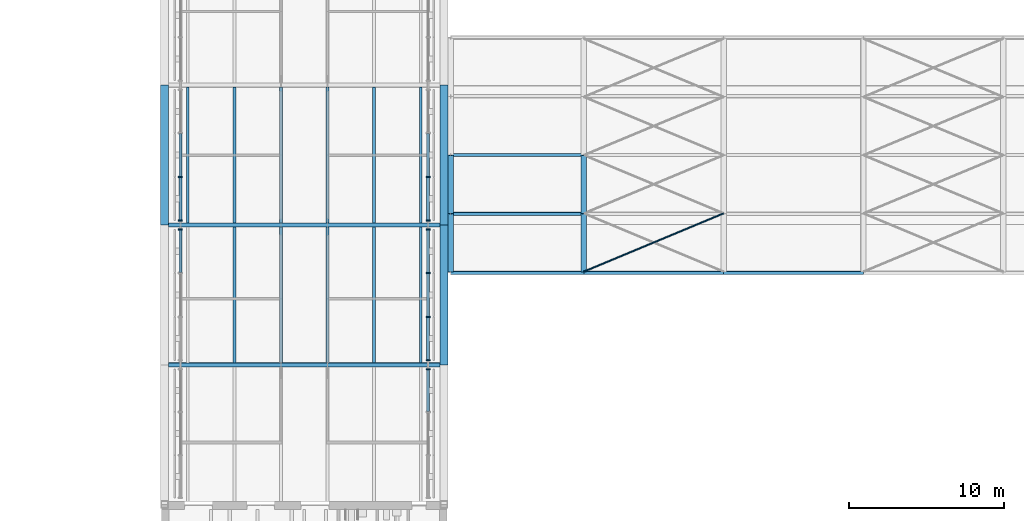
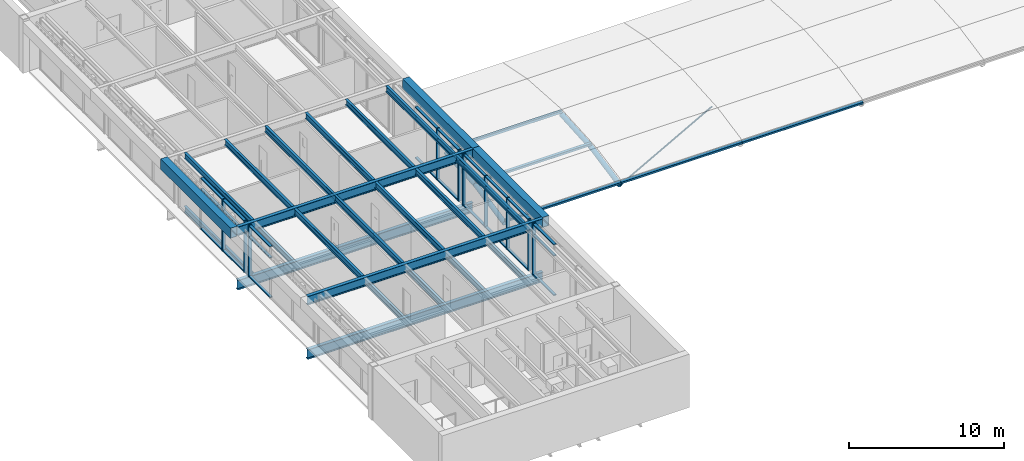
# One storey, part 4 of 43: 50 members, 25 beams, 5 elements without a shape of their own.
"""IFC4 building model written with IfcOpenShell, lengths in metres."""

from ifc_helpers import new_model, si_unit, direction, frame, origin, origin_2d, place, context, subcontext, project, spatial, rectangle, hollow_rectangle, hollow_circle, i_section, extrude, material, material_profile, profile_set, type_object, element, aggregate, save


model = new_model("IFC4")

# Units and contexts
model_context = context("Model", 3, precision=1e-05, world=origin(), true_north=direction((0.0, 1.0)))
body_context = subcontext(model_context, "Body", "Model", "MODEL_VIEW")
ifc_project = project(units=[si_unit("LENGTHUNIT", "METRE"), si_unit("AREAUNIT", "SQUARE_METRE"), si_unit("VOLUMEUNIT", "CUBIC_METRE"), si_unit("PLANEANGLEUNIT", "RADIAN"), si_unit("MASSUNIT", "GRAM", prefix="KILO")], contexts=[model_context])

# Site, building, storey
site_placement = place(None, origin())
site = spatial("IfcSite", under=ifc_project, at=site_placement, CompositionType="ELEMENT")
building_placement = place(site_placement, origin())
building = spatial("IfcBuilding", under=site, at=building_placement, Name="Baradari Gate Terminus", CompositionType="ELEMENT")
storey_placement = place(building_placement, frame((0.0, 0.0, 20.10009765625)))
storey = spatial("IfcBuildingStorey", under=building, at=storey_placement, Name="L04", CompositionType="ELEMENT", Elevation=20.10009765625)

# Curtain wall, member
ifc_material_1 = material(Name="Aluminium 6063-T6", Category="aluminium")
curtain_wall_type = type_object("IfcCurtainWallType", Name="Curtain wall CW-3 gate face, office floors", PredefinedType="NOTDEFINED", material=ifc_material_1)
curtain_wall_1_placement = place(storey_placement, origin())
curtain_wall_1 = element("IfcCurtainWall", 1, at=curtain_wall_1_placement, inside=storey, type_object=curtain_wall_type, Name="Curtain wall CW-3 gate west face L04 bay 2", PredefinedType="NOTDEFINED")
ifc_material_2 = material(Name="Aluminium 6063-T6", Category="aluminium")
ifc_material_profile_1 = material_profile(ifc_material_2, rectangle(XDim=0.25, YDim=0.080078125, at=origin_2d()), Name="CM-3 80X250")
ifc_profile_set_1 = profile_set([ifc_material_profile_1], Name="Aluminium 6063-T6")
member_type_1 = type_object("IfcMemberType", Name="Curtain wall mullion CM-3 80x250", PredefinedType="MULLION", material=ifc_profile_set_1)
member_1_placement = place(storey_placement, frame((73.02490234375, 53.7099609375, 0.0), z_axis=(0.0, 0.0, 1.0), x_axis=(-1.0, 0.0, 0.0)))
member_1 = element("IfcMember", 2, at=member_1_placement, type_object=member_type_1, Name="CW-3 mullion 4", PredefinedType="MULLION", context=body_context, shape_type="SweptSolid", body=[
    extrude(rectangle(XDim=0.25, YDim=0.080078125, at=origin_2d()), origin(), (0.0, 0.0, 1.0), 4.0498046875),
])

# Curtain wall, members
curtain_wall_2_placement = place(storey_placement, origin())
curtain_wall_2 = element("IfcCurtainWall", 3, at=curtain_wall_2_placement, inside=storey, type_object=curtain_wall_type, Name="Curtain wall CW-3 gate west face L04 bay 3", PredefinedType="NOTDEFINED")
member_2_placement = place(storey_placement, frame((73.02490234375, 54.2900390625, 0.0), z_axis=(0.0, 0.0, 1.0), x_axis=(-1.0, 0.0, 0.0)))
member_2 = element("IfcMember", 4, at=member_2_placement, type_object=member_type_1, Name="CW-3 mullion 1", PredefinedType="MULLION", context=body_context, shape_type="SweptSolid", body=[
    extrude(rectangle(XDim=0.25, YDim=0.080078125, at=origin_2d()), origin(), (0.0, 0.0, 1.0), 4.0498046875),
])
member_3_placement = place(storey_placement, frame((73.02490234375, 57.083251953125, 0.0), z_axis=(0.0, 0.0, 1.0), x_axis=(-1.0, 0.0, 0.0)))
member_3 = element("IfcMember", 5, at=member_3_placement, type_object=member_type_1, Name="CW-3 mullion 2", PredefinedType="MULLION", context=body_context, shape_type="SweptSolid", body=[
    extrude(rectangle(XDim=0.25, YDim=0.080078125, at=origin_2d()), origin(), (0.0, 0.0, 1.0), 4.0498046875),
])

# Curtain wall, member
curtain_wall_3_placement = place(storey_placement, origin())
curtain_wall_3 = element("IfcCurtainWall", 6, at=curtain_wall_3_placement, inside=storey, type_object=curtain_wall_type, Name="Curtain wall CW-3 gate east face L04 bay 1", PredefinedType="NOTDEFINED")
member_4_placement = place(storey_placement, frame((88.97509765625, 44.7099609375, 0.0), z_axis=(0.0, 0.0, 1.0), x_axis=(-1.0, 0.0, 0.0)))
member_4 = element("IfcMember", 7, at=member_4_placement, type_object=member_type_1, Name="CW-3 mullion 4", PredefinedType="MULLION", context=body_context, shape_type="SweptSolid", body=[
    extrude(rectangle(XDim=0.25, YDim=0.080078125, at=origin_2d()), origin(), (0.0, 0.0, 1.0), 4.0498046875),
])

# Curtain wall, members
curtain_wall_4_placement = place(storey_placement, origin())
curtain_wall_4 = element("IfcCurtainWall", 8, at=curtain_wall_4_placement, inside=storey, type_object=curtain_wall_type, Name="Curtain wall CW-3 gate east face L04 bay 2", PredefinedType="NOTDEFINED")
member_5_placement = place(storey_placement, frame((88.97509765625, 45.2900390625, 0.0), z_axis=(0.0, 0.0, 1.0), x_axis=(-1.0, 0.0, 0.0)))
member_5 = element("IfcMember", 9, at=member_5_placement, type_object=member_type_1, Name="CW-3 mullion 1", PredefinedType="MULLION", context=body_context, shape_type="SweptSolid", body=[
    extrude(rectangle(XDim=0.25, YDim=0.080078125, at=origin_2d()), origin(), (0.0, 0.0, 1.0), 4.0498046875),
])
member_6_placement = place(storey_placement, frame((88.97509765625, 48.083251953125, 0.0), z_axis=(0.0, 0.0, 1.0), x_axis=(-1.0, 0.0, 0.0)))
member_6 = element("IfcMember", 10, at=member_6_placement, type_object=member_type_1, Name="CW-3 mullion 2", PredefinedType="MULLION", context=body_context, shape_type="SweptSolid", body=[
    extrude(rectangle(XDim=0.25, YDim=0.080078125, at=origin_2d()), origin(), (0.0, 0.0, 1.0), 4.0498046875),
])
member_7_placement = place(storey_placement, frame((88.97509765625, 50.916748046875, 0.0), z_axis=(0.0, 0.0, 1.0), x_axis=(-1.0, 0.0, 0.0)))
member_7 = element("IfcMember", 11, at=member_7_placement, type_object=member_type_1, Name="CW-3 mullion 3", PredefinedType="MULLION", context=body_context, shape_type="SweptSolid", body=[
    extrude(rectangle(XDim=0.25, YDim=0.080078125, at=origin_2d()), origin(), (0.0, 0.0, 1.0), 4.0498046875),
])
member_8_placement = place(storey_placement, frame((88.97509765625, 53.7099609375, 0.0), z_axis=(0.0, 0.0, 1.0), x_axis=(-1.0, 0.0, 0.0)))
member_8 = element("IfcMember", 12, at=member_8_placement, type_object=member_type_1, Name="CW-3 mullion 4", PredefinedType="MULLION", context=body_context, shape_type="SweptSolid", body=[
    extrude(rectangle(XDim=0.25, YDim=0.080078125, at=origin_2d()), origin(), (0.0, 0.0, 1.0), 4.0498046875),
])

curtain_wall_5_placement = place(storey_placement, origin())
curtain_wall_5 = element("IfcCurtainWall", 13, at=curtain_wall_5_placement, inside=storey, type_object=curtain_wall_type, Name="Curtain wall CW-3 gate east face L04 bay 3", PredefinedType="NOTDEFINED")
member_9_placement = place(storey_placement, frame((88.97509765625, 54.2900390625, 0.0), z_axis=(0.0, 0.0, 1.0), x_axis=(-1.0, 0.0, 0.0)))
member_9 = element("IfcMember", 14, at=member_9_placement, type_object=member_type_1, Name="CW-3 mullion 1", PredefinedType="MULLION", context=body_context, shape_type="SweptSolid", body=[
    extrude(rectangle(XDim=0.25, YDim=0.080078125, at=origin_2d()), origin(), (0.0, 0.0, 1.0), 4.0498046875),
])
member_10_placement = place(storey_placement, frame((88.97509765625, 57.083251953125, 0.0), z_axis=(0.0, 0.0, 1.0), x_axis=(-1.0, 0.0, 0.0)))
member_10 = element("IfcMember", 15, at=member_10_placement, type_object=member_type_1, Name="CW-3 mullion 2", PredefinedType="MULLION", context=body_context, shape_type="SweptSolid", body=[
    extrude(rectangle(XDim=0.25, YDim=0.080078125, at=origin_2d()), origin(), (0.0, 0.0, 1.0), 4.0498046875),
])

# Member
ifc_material_3 = material(Name="Aluminium 6063-T6", Category="aluminium")
ifc_material_profile_2 = material_profile(ifc_material_3, rectangle(XDim=0.199951171875, YDim=0.080078125, at=origin_2d()), Name="CT-3 80X200")
ifc_profile_set_2 = profile_set([ifc_material_profile_2], Name="Aluminium 6063-T6")
member_type_2 = type_object("IfcMemberType", Name="Curtain wall transom CT-3 80x200", PredefinedType="USERDEFINED", material=ifc_profile_set_2)
member_11_placement = place(storey_placement, frame((73.02490234375, 50.956787109375, 0.039794921875), z_axis=(0.0, 1.0, 0.0), x_axis=(-1.0, 0.0, 0.0)))
member_11 = element("IfcMember", 16, at=member_11_placement, type_object=member_type_2, Name="CW-3 transom 3.1", ObjectType="TRANSOM", PredefinedType="USERDEFINED", context=body_context, shape_type="SweptSolid", body=[
    extrude(rectangle(XDim=0.199951171875, YDim=0.080078125, at=origin_2d()), origin(), (0.0, 0.0, 1.0), 2.713134765625),
])

member_12_placement = place(storey_placement, frame((73.02490234375, 50.956787109375, 3.14990234375), z_axis=(0.0, 1.0, 0.0), x_axis=(-1.0, 0.0, 0.0)))
member_12 = element("IfcMember", 17, at=member_12_placement, type_object=member_type_2, Name="CW-3 transom 3.2", ObjectType="TRANSOM", PredefinedType="USERDEFINED", context=body_context, shape_type="SweptSolid", body=[
    extrude(rectangle(XDim=0.199951171875, YDim=0.080078125, at=origin_2d()), origin(), (0.0, 0.0, 1.0), 2.713134765625),
])

member_13_placement = place(storey_placement, frame((73.02490234375, 50.956787109375, 4.010009765625), z_axis=(0.0, 1.0, 0.0), x_axis=(-1.0, 0.0, 0.0)))
member_13 = element("IfcMember", 18, at=member_13_placement, type_object=member_type_2, Name="CW-3 transom 3.3", ObjectType="TRANSOM", PredefinedType="USERDEFINED", context=body_context, shape_type="SweptSolid", body=[
    extrude(rectangle(XDim=0.199951171875, YDim=0.080078125, at=origin_2d()), origin(), (0.0, 0.0, 1.0), 2.713134765625),
])

aggregate(curtain_wall_1, [member_1, member_11, member_12, member_13])

member_14_placement = place(storey_placement, frame((73.02490234375, 54.330078125, 0.039794921875), z_axis=(0.0, 1.0, 0.0), x_axis=(-1.0, 0.0, 0.0)))
member_14 = element("IfcMember", 19, at=member_14_placement, type_object=member_type_2, Name="CW-3 transom 1.1", ObjectType="TRANSOM", PredefinedType="USERDEFINED", context=body_context, shape_type="SweptSolid", body=[
    extrude(rectangle(XDim=0.199951171875, YDim=0.080078125, at=origin_2d()), origin(), (0.0, 0.0, 1.0), 2.713134765625),
])

member_15_placement = place(storey_placement, frame((73.02490234375, 54.330078125, 3.14990234375), z_axis=(0.0, 1.0, 0.0), x_axis=(-1.0, 0.0, 0.0)))
member_15 = element("IfcMember", 20, at=member_15_placement, type_object=member_type_2, Name="CW-3 transom 1.2", ObjectType="TRANSOM", PredefinedType="USERDEFINED", context=body_context, shape_type="SweptSolid", body=[
    extrude(rectangle(XDim=0.199951171875, YDim=0.080078125, at=origin_2d()), origin(), (0.0, 0.0, 1.0), 2.713134765625),
])

member_16_placement = place(storey_placement, frame((73.02490234375, 54.330078125, 4.010009765625), z_axis=(0.0, 1.0, 0.0), x_axis=(-1.0, 0.0, 0.0)))
member_16 = element("IfcMember", 21, at=member_16_placement, type_object=member_type_2, Name="CW-3 transom 1.3", ObjectType="TRANSOM", PredefinedType="USERDEFINED", context=body_context, shape_type="SweptSolid", body=[
    extrude(rectangle(XDim=0.199951171875, YDim=0.080078125, at=origin_2d()), origin(), (0.0, 0.0, 1.0), 2.713134765625),
])

member_17_placement = place(storey_placement, frame((73.02490234375, 57.123291015625, 0.039794921875), z_axis=(0.0, 1.0, 0.0), x_axis=(-1.0, 0.0, 0.0)))
member_17 = element("IfcMember", 22, at=member_17_placement, type_object=member_type_2, Name="CW-3 transom 2.1", ObjectType="TRANSOM", PredefinedType="USERDEFINED", context=body_context, shape_type="SweptSolid", body=[
    extrude(rectangle(XDim=0.199951171875, YDim=0.080078125, at=origin_2d()), origin(), (0.0, 0.0, 1.0), 2.75341796875),
])

member_18_placement = place(storey_placement, frame((73.02490234375, 57.123291015625, 3.14990234375), z_axis=(0.0, 1.0, 0.0), x_axis=(-1.0, 0.0, 0.0)))
member_18 = element("IfcMember", 23, at=member_18_placement, type_object=member_type_2, Name="CW-3 transom 2.2", ObjectType="TRANSOM", PredefinedType="USERDEFINED", context=body_context, shape_type="SweptSolid", body=[
    extrude(rectangle(XDim=0.199951171875, YDim=0.080078125, at=origin_2d()), origin(), (0.0, 0.0, 1.0), 2.75341796875),
])

member_19_placement = place(storey_placement, frame((73.02490234375, 57.123291015625, 4.010009765625), z_axis=(0.0, 1.0, 0.0), x_axis=(-1.0, 0.0, 0.0)))
member_19 = element("IfcMember", 24, at=member_19_placement, type_object=member_type_2, Name="CW-3 transom 2.3", ObjectType="TRANSOM", PredefinedType="USERDEFINED", context=body_context, shape_type="SweptSolid", body=[
    extrude(rectangle(XDim=0.199951171875, YDim=0.080078125, at=origin_2d()), origin(), (0.0, 0.0, 1.0), 2.75341796875),
])

aggregate(curtain_wall_2, [member_2, member_3, member_14, member_15, member_16, member_17, member_18, member_19])

member_20_placement = place(storey_placement, frame((88.97509765625, 42.006591796875, 0.039794921875), z_axis=(0.0, 1.0, 0.0), x_axis=(-1.0, 0.0, 0.0)))
member_20 = element("IfcMember", 25, at=member_20_placement, type_object=member_type_2, Name="CW-3 transom 3.1", ObjectType="TRANSOM", PredefinedType="USERDEFINED", context=body_context, shape_type="SweptSolid", body=[
    extrude(rectangle(XDim=0.199951171875, YDim=0.080078125, at=origin_2d()), origin(), (0.0, 0.0, 1.0), 2.663330078125),
])

member_21_placement = place(storey_placement, frame((88.97509765625, 42.006591796875, 3.14990234375), z_axis=(0.0, 1.0, 0.0), x_axis=(-1.0, 0.0, 0.0)))
member_21 = element("IfcMember", 26, at=member_21_placement, type_object=member_type_2, Name="CW-3 transom 3.2", ObjectType="TRANSOM", PredefinedType="USERDEFINED", context=body_context, shape_type="SweptSolid", body=[
    extrude(rectangle(XDim=0.199951171875, YDim=0.080078125, at=origin_2d()), origin(), (0.0, 0.0, 1.0), 2.663330078125),
])

member_22_placement = place(storey_placement, frame((88.97509765625, 42.006591796875, 4.010009765625), z_axis=(0.0, 1.0, 0.0), x_axis=(-1.0, 0.0, 0.0)))
member_22 = element("IfcMember", 27, at=member_22_placement, type_object=member_type_2, Name="CW-3 transom 3.3", ObjectType="TRANSOM", PredefinedType="USERDEFINED", context=body_context, shape_type="SweptSolid", body=[
    extrude(rectangle(XDim=0.199951171875, YDim=0.080078125, at=origin_2d()), origin(), (0.0, 0.0, 1.0), 2.663330078125),
])

aggregate(curtain_wall_3, [member_4, member_20, member_21, member_22])

member_23_placement = place(storey_placement, frame((88.97509765625, 45.330078125, 0.039794921875), z_axis=(0.0, 1.0, 0.0), x_axis=(-1.0, 0.0, 0.0)))
member_23 = element("IfcMember", 28, at=member_23_placement, type_object=member_type_2, Name="CW-3 transom 1.1", ObjectType="TRANSOM", PredefinedType="USERDEFINED", context=body_context, shape_type="SweptSolid", body=[
    extrude(rectangle(XDim=0.199951171875, YDim=0.080078125, at=origin_2d()), origin(), (0.0, 0.0, 1.0), 2.713134765625),
])

member_24_placement = place(storey_placement, frame((88.97509765625, 45.330078125, 3.14990234375), z_axis=(0.0, 1.0, 0.0), x_axis=(-1.0, 0.0, 0.0)))
member_24 = element("IfcMember", 29, at=member_24_placement, type_object=member_type_2, Name="CW-3 transom 1.2", ObjectType="TRANSOM", PredefinedType="USERDEFINED", context=body_context, shape_type="SweptSolid", body=[
    extrude(rectangle(XDim=0.199951171875, YDim=0.080078125, at=origin_2d()), origin(), (0.0, 0.0, 1.0), 2.713134765625),
])

member_25_placement = place(storey_placement, frame((88.97509765625, 45.330078125, 4.010009765625), z_axis=(0.0, 1.0, 0.0), x_axis=(-1.0, 0.0, 0.0)))
member_25 = element("IfcMember", 30, at=member_25_placement, type_object=member_type_2, Name="CW-3 transom 1.3", ObjectType="TRANSOM", PredefinedType="USERDEFINED", context=body_context, shape_type="SweptSolid", body=[
    extrude(rectangle(XDim=0.199951171875, YDim=0.080078125, at=origin_2d()), origin(), (0.0, 0.0, 1.0), 2.713134765625),
])

member_26_placement = place(storey_placement, frame((88.97509765625, 48.123291015625, 0.039794921875), z_axis=(0.0, 1.0, 0.0), x_axis=(-1.0, 0.0, 0.0)))
member_26 = element("IfcMember", 31, at=member_26_placement, type_object=member_type_2, Name="CW-3 transom 2.1", ObjectType="TRANSOM", PredefinedType="USERDEFINED", context=body_context, shape_type="SweptSolid", body=[
    extrude(rectangle(XDim=0.199951171875, YDim=0.080078125, at=origin_2d()), origin(), (0.0, 0.0, 1.0), 2.75341796875),
])

member_27_placement = place(storey_placement, frame((88.97509765625, 48.123291015625, 3.14990234375), z_axis=(0.0, 1.0, 0.0), x_axis=(-1.0, 0.0, 0.0)))
member_27 = element("IfcMember", 32, at=member_27_placement, type_object=member_type_2, Name="CW-3 transom 2.2", ObjectType="TRANSOM", PredefinedType="USERDEFINED", context=body_context, shape_type="SweptSolid", body=[
    extrude(rectangle(XDim=0.199951171875, YDim=0.080078125, at=origin_2d()), origin(), (0.0, 0.0, 1.0), 2.75341796875),
])

member_28_placement = place(storey_placement, frame((88.97509765625, 48.123291015625, 4.010009765625), z_axis=(0.0, 1.0, 0.0), x_axis=(-1.0, 0.0, 0.0)))
member_28 = element("IfcMember", 33, at=member_28_placement, type_object=member_type_2, Name="CW-3 transom 2.3", ObjectType="TRANSOM", PredefinedType="USERDEFINED", context=body_context, shape_type="SweptSolid", body=[
    extrude(rectangle(XDim=0.199951171875, YDim=0.080078125, at=origin_2d()), origin(), (0.0, 0.0, 1.0), 2.75341796875),
])

member_29_placement = place(storey_placement, frame((88.97509765625, 50.956787109375, 0.039794921875), z_axis=(0.0, 1.0, 0.0), x_axis=(-1.0, 0.0, 0.0)))
member_29 = element("IfcMember", 34, at=member_29_placement, type_object=member_type_2, Name="CW-3 transom 3.1", ObjectType="TRANSOM", PredefinedType="USERDEFINED", context=body_context, shape_type="SweptSolid", body=[
    extrude(rectangle(XDim=0.199951171875, YDim=0.080078125, at=origin_2d()), origin(), (0.0, 0.0, 1.0), 2.713134765625),
])

member_30_placement = place(storey_placement, frame((88.97509765625, 50.956787109375, 3.14990234375), z_axis=(0.0, 1.0, 0.0), x_axis=(-1.0, 0.0, 0.0)))
member_30 = element("IfcMember", 35, at=member_30_placement, type_object=member_type_2, Name="CW-3 transom 3.2", ObjectType="TRANSOM", PredefinedType="USERDEFINED", context=body_context, shape_type="SweptSolid", body=[
    extrude(rectangle(XDim=0.199951171875, YDim=0.080078125, at=origin_2d()), origin(), (0.0, 0.0, 1.0), 2.713134765625),
])

member_31_placement = place(storey_placement, frame((88.97509765625, 50.956787109375, 4.010009765625), z_axis=(0.0, 1.0, 0.0), x_axis=(-1.0, 0.0, 0.0)))
member_31 = element("IfcMember", 36, at=member_31_placement, type_object=member_type_2, Name="CW-3 transom 3.3", ObjectType="TRANSOM", PredefinedType="USERDEFINED", context=body_context, shape_type="SweptSolid", body=[
    extrude(rectangle(XDim=0.199951171875, YDim=0.080078125, at=origin_2d()), origin(), (0.0, 0.0, 1.0), 2.713134765625),
])

aggregate(curtain_wall_4, [member_5, member_6, member_7, member_8, member_23, member_24, member_25, member_26, member_27, member_28, member_29, member_30, member_31])

member_32_placement = place(storey_placement, frame((88.97509765625, 54.330078125, 0.039794921875), z_axis=(0.0, 1.0, 0.0), x_axis=(-1.0, 0.0, 0.0)))
member_32 = element("IfcMember", 37, at=member_32_placement, type_object=member_type_2, Name="CW-3 transom 1.1", ObjectType="TRANSOM", PredefinedType="USERDEFINED", context=body_context, shape_type="SweptSolid", body=[
    extrude(rectangle(XDim=0.199951171875, YDim=0.080078125, at=origin_2d()), origin(), (0.0, 0.0, 1.0), 2.713134765625),
])

member_33_placement = place(storey_placement, frame((88.97509765625, 54.330078125, 3.14990234375), z_axis=(0.0, 1.0, 0.0), x_axis=(-1.0, 0.0, 0.0)))
member_33 = element("IfcMember", 38, at=member_33_placement, type_object=member_type_2, Name="CW-3 transom 1.2", ObjectType="TRANSOM", PredefinedType="USERDEFINED", context=body_context, shape_type="SweptSolid", body=[
    extrude(rectangle(XDim=0.199951171875, YDim=0.080078125, at=origin_2d()), origin(), (0.0, 0.0, 1.0), 2.713134765625),
])

member_34_placement = place(storey_placement, frame((88.97509765625, 54.330078125, 4.010009765625), z_axis=(0.0, 1.0, 0.0), x_axis=(-1.0, 0.0, 0.0)))
member_34 = element("IfcMember", 39, at=member_34_placement, type_object=member_type_2, Name="CW-3 transom 1.3", ObjectType="TRANSOM", PredefinedType="USERDEFINED", context=body_context, shape_type="SweptSolid", body=[
    extrude(rectangle(XDim=0.199951171875, YDim=0.080078125, at=origin_2d()), origin(), (0.0, 0.0, 1.0), 2.713134765625),
])

member_35_placement = place(storey_placement, frame((88.97509765625, 57.123291015625, 0.039794921875), z_axis=(0.0, 1.0, 0.0), x_axis=(-1.0, 0.0, 0.0)))
member_35 = element("IfcMember", 40, at=member_35_placement, type_object=member_type_2, Name="CW-3 transom 2.1", ObjectType="TRANSOM", PredefinedType="USERDEFINED", context=body_context, shape_type="SweptSolid", body=[
    extrude(rectangle(XDim=0.199951171875, YDim=0.080078125, at=origin_2d()), origin(), (0.0, 0.0, 1.0), 2.75341796875),
])

member_36_placement = place(storey_placement, frame((88.97509765625, 57.123291015625, 3.14990234375), z_axis=(0.0, 1.0, 0.0), x_axis=(-1.0, 0.0, 0.0)))
member_36 = element("IfcMember", 41, at=member_36_placement, type_object=member_type_2, Name="CW-3 transom 2.2", ObjectType="TRANSOM", PredefinedType="USERDEFINED", context=body_context, shape_type="SweptSolid", body=[
    extrude(rectangle(XDim=0.199951171875, YDim=0.080078125, at=origin_2d()), origin(), (0.0, 0.0, 1.0), 2.75341796875),
])

member_37_placement = place(storey_placement, frame((88.97509765625, 57.123291015625, 4.010009765625), z_axis=(0.0, 1.0, 0.0), x_axis=(-1.0, 0.0, 0.0)))
member_37 = element("IfcMember", 42, at=member_37_placement, type_object=member_type_2, Name="CW-3 transom 2.3", ObjectType="TRANSOM", PredefinedType="USERDEFINED", context=body_context, shape_type="SweptSolid", body=[
    extrude(rectangle(XDim=0.199951171875, YDim=0.080078125, at=origin_2d()), origin(), (0.0, 0.0, 1.0), 2.75341796875),
])

aggregate(curtain_wall_5, [member_9, member_10, member_32, member_33, member_34, member_35, member_36, member_37])

# Beams
ifc_material_4 = material(Name="Steel S355", Category="steel")
ifc_material_profile_3 = material_profile(ifc_material_4, i_section(OverallWidth=0.2666015625, OverallDepth=0.76220703125, WebThickness=0.014404296875, FlangeThickness=0.021484375, FilletRadius=0.0166015625, at=origin_2d()), Name="UB 762x267x173")
ifc_profile_set_3 = profile_set([ifc_material_profile_3], Name="Steel S355")
beam_type_1 = type_object("IfcBeamType", Name="Gate girder B30 UB 762x267x173", PredefinedType="BEAM", material=ifc_profile_set_3)
for number, where, z_axis, x_axis, name in (
    (43, (72.25, 45.0, -0.53125), (1.0, 0.0, 0.0), (0.0, 1.0, 0.0), "Gate girder B30 F:72.25-89.75 L04"),
    (44, (72.25, 54.0, -0.53125), (1.0, 0.0, 0.0), (0.0, 1.0, 0.0), "Gate girder B30 G:72.25-89.75 L04"),
):
    element("IfcBeam", number, at=place(storey_placement, frame(where, z_axis=z_axis, x_axis=x_axis)), inside=storey, type_object=beam_type_1, Name=name, PredefinedType="BEAM", context=body_context, shape_type="SweptSolid", body=[
        extrude(i_section(OverallWidth=0.2666015625, OverallDepth=0.76220703125, WebThickness=0.014404296875, FlangeThickness=0.021484375, FilletRadius=0.0166015625, at=origin_2d()), origin(), (0.0, 0.0, 1.0), 17.5),
    ])
ifc_material_5 = material(Name="Steel S355", Category="steel")
ifc_material_profile_4 = material_profile(ifc_material_5, i_section(OverallWidth=0.25439453125, OverallDepth=0.6875, WebThickness=0.01318359375, FlangeThickness=0.02099609375, FilletRadius=0.01513671875, at=origin_2d()), Name="UB 686x254x152")
ifc_profile_set_4 = profile_set([ifc_material_profile_4], Name="Steel S355")
beam_type_2 = type_object("IfcBeamType", Name="Gate roof girder B56 UB 686x254x152", PredefinedType="BEAM", material=ifc_profile_set_4)
for number, where, z_axis, x_axis, name in (
    (45, (72.25, 45.0, 3.7060546875), (1.0, 0.0, 0.0), (0.0, 1.0, 0.0), "Gate roof girder B56 F:72.25-89.75 L04"),
    (46, (72.25, 54.0, 3.7060546875), (1.0, 0.0, 0.0), (0.0, 1.0, 0.0), "Gate roof girder B56 G:72.25-89.75 L04"),
):
    element("IfcBeam", number, at=place(storey_placement, frame(where, z_axis=z_axis, x_axis=x_axis)), inside=storey, type_object=beam_type_2, Name=name, PredefinedType="BEAM", context=body_context, shape_type="SweptSolid", body=[
        extrude(i_section(OverallWidth=0.25439453125, OverallDepth=0.6875, WebThickness=0.01318359375, FlangeThickness=0.02099609375, FilletRadius=0.01513671875, at=origin_2d()), origin(), (0.0, 0.0, 1.0), 17.5),
    ])
ifc_material_6 = material(Name="Steel S355", Category="steel")
ifc_material_profile_5 = material_profile(ifc_material_6, i_section(OverallWidth=0.18994140625, OverallDepth=0.453369140625, WebThickness=0.008544921875, FlangeThickness=0.0126953125, FilletRadius=0.01025390625, at=origin_2d()), Name="UB 457x191x67")
ifc_profile_set_5 = profile_set([ifc_material_profile_5], Name="Steel S355")
beam_type_3 = type_object("IfcBeamType", Name="Gate roof secondary beam B57 UB 457x191x67", PredefinedType="BEAM", material=ifc_profile_set_5)
for number, where, z_axis, x_axis, name in (
    (47, (73.5, 54.127197265625, 3.8232421875), (0.0, 1.0, 0.0), (-1.0, 0.0, 0.0), "Gate roof secondary beam B57 73.5:54.127-62.873 L04"),
    (48, (76.5, 45.127197265625, 3.8232421875), (0.0, 1.0, 0.0), (-1.0, 0.0, 0.0), "Gate roof secondary beam B57 76.5:45.127-53.873 L04"),
    (49, (76.5, 54.127197265625, 3.8232421875), (0.0, 1.0, 0.0), (-1.0, 0.0, 0.0), "Gate roof secondary beam B57 76.5:54.127-62.873 L04"),
    (50, (79.5, 45.127197265625, 3.8232421875), (0.0, 1.0, 0.0), (-1.0, 0.0, 0.0), "Gate roof secondary beam B57 79.5:45.127-53.873 L04"),
    (51, (79.5, 54.127197265625, 3.8232421875), (0.0, 1.0, 0.0), (-1.0, 0.0, 0.0), "Gate roof secondary beam B57 79.5:54.127-62.873 L04"),
    (52, (82.5, 45.127197265625, 3.8232421875), (0.0, 1.0, 0.0), (-1.0, 0.0, 0.0), "Gate roof secondary beam B57 82.5:45.127-53.873 L04"),
    (53, (82.5, 54.127197265625, 3.8232421875), (0.0, 1.0, 0.0), (-1.0, 0.0, 0.0), "Gate roof secondary beam B57 82.5:54.127-62.873 L04"),
    (54, (85.5, 45.127197265625, 3.8232421875), (0.0, 1.0, 0.0), (-1.0, 0.0, 0.0), "Gate roof secondary beam B57 85.5:45.127-53.873 L04"),
    (55, (85.5, 54.127197265625, 3.8232421875), (0.0, 1.0, 0.0), (-1.0, 0.0, 0.0), "Gate roof secondary beam B57 85.5:54.127-62.873 L04"),
    (56, (88.5, 45.127197265625, 3.8232421875), (0.0, 1.0, 0.0), (-1.0, 0.0, 0.0), "Gate roof secondary beam B57 88.5:45.127-53.873 L04"),
    (57, (88.5, 54.127197265625, 3.8232421875), (0.0, 1.0, 0.0), (-1.0, 0.0, 0.0), "Gate roof secondary beam B57 88.5:54.127-62.873 L04"),
):
    element("IfcBeam", number, at=place(storey_placement, frame(where, z_axis=z_axis, x_axis=x_axis)), inside=storey, type_object=beam_type_3, Name=name, PredefinedType="BEAM", context=body_context, shape_type="SweptSolid", body=[
        extrude(i_section(OverallWidth=0.18994140625, OverallDepth=0.453369140625, WebThickness=0.008544921875, FlangeThickness=0.0126953125, FilletRadius=0.01025390625, at=origin_2d()), origin(), (0.0, 0.0, 1.0), 8.74560546875),
    ])
ifc_material_7 = material(Name="Steel S355", Category="steel")
ifc_material_profile_6 = material_profile(ifc_material_7, i_section(OverallWidth=0.19140625, OverallDepth=0.4599609375, WebThickness=0.010009765625, FlangeThickness=0.01611328125, FilletRadius=0.01025390625, at=origin_2d()), Name="UB 457x191x82")
ifc_profile_set_6 = profile_set([ifc_material_profile_6], Name="Steel S355")
beam_type_4 = type_object("IfcBeamType", Name="Gate secondary beam B31 UB 457x191x82", PredefinedType="BEAM", material=ifc_profile_set_6)
for number, where, z_axis, x_axis, name in (
    (58, (73.5, 54.13330078125, -0.380126953125), (0.0, 1.0, 0.0), (-1.0, 0.0, 0.0), "Gate secondary beam B31 73.5:54.133-62.867 L04"),
    (59, (76.5, 54.13330078125, -0.380126953125), (0.0, 1.0, 0.0), (-1.0, 0.0, 0.0), "Gate secondary beam B31 76.5:54.133-62.867 L04"),
    (60, (79.5, 45.13330078125, -0.380126953125), (0.0, 1.0, 0.0), (-1.0, 0.0, 0.0), "Gate secondary beam B31 79.5:45.133-53.867 L04"),
    (61, (79.5, 54.13330078125, -0.380126953125), (0.0, 1.0, 0.0), (-1.0, 0.0, 0.0), "Gate secondary beam B31 79.5:54.133-62.867 L04"),
    (62, (82.5, 45.13330078125, -0.380126953125), (0.0, 1.0, 0.0), (-1.0, 0.0, 0.0), "Gate secondary beam B31 82.5:45.133-53.867 L04"),
    (63, (82.5, 54.13330078125, -0.380126953125), (0.0, 1.0, 0.0), (-1.0, 0.0, 0.0), "Gate secondary beam B31 82.5:54.133-62.867 L04"),
    (64, (85.5, 45.13330078125, -0.380126953125), (0.0, 1.0, 0.0), (-1.0, 0.0, 0.0), "Gate secondary beam B31 85.5:45.133-53.867 L04"),
    (65, (85.5, 54.13330078125, -0.380126953125), (0.0, 1.0, 0.0), (-1.0, 0.0, 0.0), "Gate secondary beam B31 85.5:54.133-62.867 L04"),
    (66, (88.5, 45.13330078125, -0.380126953125), (0.0, 1.0, 0.0), (-1.0, 0.0, 0.0), "Gate secondary beam B31 88.5:45.133-53.867 L04"),
    (67, (88.5, 54.13330078125, -0.380126953125), (0.0, 1.0, 0.0), (-1.0, 0.0, 0.0), "Gate secondary beam B31 88.5:54.133-62.867 L04"),
):
    element("IfcBeam", number, at=place(storey_placement, frame(where, z_axis=z_axis, x_axis=x_axis)), inside=storey, type_object=beam_type_4, Name=name, PredefinedType="BEAM", context=body_context, shape_type="SweptSolid", body=[
        extrude(i_section(OverallWidth=0.19140625, OverallDepth=0.4599609375, WebThickness=0.010009765625, FlangeThickness=0.01611328125, FilletRadius=0.01025390625, at=origin_2d()), origin(), (0.0, 0.0, 1.0), 8.7333984375),
    ])

# Members
ifc_material_8 = material(Name="Steel S355", Category="steel")
ifc_material_profile_7 = material_profile(ifc_material_8, hollow_circle(Radius=0.177734375, WallThickness=0.01611328125, at=origin_2d()), Name="CHS 355.6x16")
ifc_profile_set_7 = profile_set([ifc_material_profile_7], Name="Steel S355")
member_type_3 = type_object("IfcMemberType", Name="Shed abutment rail CHS 355.6x16", PredefinedType="CHORD", material=ifc_profile_set_7)
member_38_placement = place(storey_placement, frame((90.427734375, 51.0, -0.263671875), z_axis=(0.0, 0.980580675691, 0.196116135138), x_axis=(-1.0, 0.0, 0.0)))
element("IfcMember", 68, at=member_38_placement, inside=storey, type_object=member_type_3, Name="TR/L04/LR04", PredefinedType="CHORD", context=body_context, shape_type="SweptSolid", body=[
    extrude(hollow_circle(Radius=0.177734375, WallThickness=0.01611328125, at=origin_2d()), origin(), (0.0, 0.0, 1.0), 3.82421875),
])
member_39_placement = place(storey_placement, frame((90.427734375, 54.75, 0.486328125), z_axis=(0.0, 0.997785157857, 0.066519010524), x_axis=(-1.0, 0.0, 0.0)))
element("IfcMember", 69, at=member_39_placement, inside=storey, type_object=member_type_3, Name="TR/L04/LR05", PredefinedType="CHORD", context=body_context, shape_type="SweptSolid", body=[
    extrude(hollow_circle(Radius=0.177734375, WallThickness=0.01611328125, at=origin_2d()), origin(), (0.0, 0.0, 1.0), 3.75830078125),
])
ifc_material_9 = material(Name="Steel S355", Category="steel")
ifc_material_profile_8 = material_profile(ifc_material_9, hollow_rectangle(XDim=0.199951171875, YDim=0.199951171875, WallThickness=0.008056640625, InnerFilletRadius=0.008056640625, OuterFilletRadius=0.01611328125, at=origin_2d()), Name="SHS 200x200x8")
ifc_profile_set_8 = profile_set([ifc_material_profile_8], Name="Steel S355")
member_type_4 = type_object("IfcMemberType", Name="Shed purlin SHS 200x200x8", PredefinedType="PURLIN", material=ifc_profile_set_8)
for number, where, z_axis, x_axis, name in (
    (70, (90.427734375, 50.931884765625, -0.006591796875), (1.0, 0.0, 0.0), (0.0, 0.966499648767, 0.256667935149), "TR/L04/B99-PU04"),
    (71, (90.427734375, 54.715087890625, 0.75), (1.0, 0.0, 0.0), (0.0, 0.99130302961, 0.131599025396), "TR/L04/B99-PU05"),
    (72, (90.427734375, 58.5, 1.002197265625), (1.0, 0.0, 0.0), (0.0, 1.0, 0.0), "TR/L04/B99-PU06"),
):
    element("IfcMember", number, at=place(storey_placement, frame(where, z_axis=z_axis, x_axis=x_axis)), inside=storey, type_object=member_type_4, Name=name, PredefinedType="PURLIN", context=body_context, shape_type="SweptSolid", body=[
        extrude(hollow_rectangle(XDim=0.199951171875, YDim=0.199951171875, WallThickness=0.008056640625, InnerFilletRadius=0.008056640625, OuterFilletRadius=0.01611328125, at=origin_2d()), origin(), (0.0, 0.0, 1.0), 8.572265625),
    ])
for number, where, z_axis, x_axis, name in (
    (73, (99.0, 50.931884765625, -0.006591796875), (1.0, 0.0, 0.0), (0.0, 0.966499648767, 0.256667935149), "TR/L04/B108-PU04"),
    (74, (108.0, 50.931884765625, -0.006591796875), (1.0, 0.0, 0.0), (0.0, 0.966499648767, 0.256667935149), "TR/L04/B117-PU04"),
):
    element("IfcMember", number, at=place(storey_placement, frame(where, z_axis=z_axis, x_axis=x_axis)), inside=storey, type_object=member_type_4, Name=name, PredefinedType="PURLIN", context=body_context, shape_type="SweptSolid", body=[
        extrude(hollow_rectangle(XDim=0.199951171875, YDim=0.199951171875, WallThickness=0.008056640625, InnerFilletRadius=0.008056640625, OuterFilletRadius=0.01611328125, at=origin_2d()), origin(), (0.0, 0.0, 1.0), 9.0),
    ])
ifc_material_10 = material(Name="Steel S355", Category="steel")
ifc_material_profile_9 = material_profile(ifc_material_10, hollow_circle(Radius=0.05712890625, WallThickness=0.00634765625, at=origin_2d()), Name="CHS 114.3x6.3")
ifc_profile_set_9 = profile_set([ifc_material_profile_9], Name="Steel S355")
member_type_5 = type_object("IfcMemberType", Name="Shed roof brace CHS 114.3x6.3", PredefinedType="BRACE", material=ifc_profile_set_9)
member_40_placement = place(storey_placement, frame((99.0, 51.0, -0.263671875), z_axis=(0.920357986617, 0.383482494424, 0.076696498885), x_axis=(-0.384615384615, 0.923076923077, 0.0)))
element("IfcMember", 75, at=member_40_placement, inside=storey, type_object=member_type_5, Name="TR/L04/B108-RB04A", PredefinedType="BRACE", context=body_context, shape_type="SweptSolid", body=[
    extrude(hollow_circle(Radius=0.05712890625, WallThickness=0.00634765625, at=origin_2d()), origin(), (0.0, 0.0, 1.0), 9.77880859375),
])
ifc_material_11 = material(Name="Steel S355", Category="steel")
ifc_material_profile_10 = material_profile(ifc_material_11, hollow_circle(Radius=0.177734375, WallThickness=0.01611328125, at=origin_2d()), Name="CHS 355.6x16")
ifc_profile_set_10 = profile_set([ifc_material_profile_10], Name="Steel S355")
member_type_6 = type_object("IfcMemberType", Name="Shed top chord CHS 355.6x16", PredefinedType="CHORD", material=ifc_profile_set_10)
member_41_placement = place(storey_placement, frame((99.0, 51.0, -0.263671875), z_axis=(0.0, 0.980580675691, 0.196116135138), x_axis=(-1.0, 0.0, 0.0)))
element("IfcMember", 76, at=member_41_placement, inside=storey, type_object=member_type_6, Name="TR/L04/S99-TC04", PredefinedType="CHORD", context=body_context, shape_type="SweptSolid", body=[
    extrude(hollow_circle(Radius=0.177734375, WallThickness=0.01611328125, at=origin_2d()), origin(), (0.0, 0.0, 1.0), 3.82421875),
])
member_42_placement = place(storey_placement, frame((99.0, 54.75, 0.486328125), z_axis=(0.0, 0.997785157857, 0.066519010524), x_axis=(-1.0, 0.0, 0.0)))
element("IfcMember", 77, at=member_42_placement, inside=storey, type_object=member_type_6, Name="TR/L04/S99-TC05", PredefinedType="CHORD", context=body_context, shape_type="SweptSolid", body=[
    extrude(hollow_circle(Radius=0.177734375, WallThickness=0.01611328125, at=origin_2d()), origin(), (0.0, 0.0, 1.0), 3.75830078125),
])
ifc_material_12 = material(Name="Steel S355", Category="steel")
ifc_material_profile_11 = material_profile(ifc_material_12, hollow_rectangle(XDim=0.5, YDim=0.800048828125, WallThickness=0.031982421875, at=origin_2d()), Name="FB 500x800x32")
ifc_profile_set_11 = profile_set([ifc_material_profile_11], Name="Steel S355")
member_type_7 = type_object("IfcMemberType", Name="Transfer truss top chord FB 500x800x32", PredefinedType="CHORD", material=ifc_profile_set_11)
for number, where, z_axis, x_axis, name in (
    (78, (72.0, 54.0, 3.64990234375), (0.0, 1.0, 0.0), (-1.0, 0.0, 0.0), "TR/L04/G72-TC2"),
    (79, (90.0, 45.0, 3.64990234375), (0.0, 1.0, 0.0), (-1.0, 0.0, 0.0), "TR/L04/G90-TC1"),
    (80, (90.0, 54.0, 3.64990234375), (0.0, 1.0, 0.0), (-1.0, 0.0, 0.0), "TR/L04/G90-TC2"),
):
    element("IfcMember", number, at=place(storey_placement, frame(where, z_axis=z_axis, x_axis=x_axis)), inside=storey, type_object=member_type_7, Name=name, PredefinedType="CHORD", context=body_context, shape_type="SweptSolid", body=[
        extrude(hollow_rectangle(XDim=0.5, YDim=0.800048828125, WallThickness=0.031982421875, at=origin_2d()), origin(), (0.0, 0.0, 1.0), 9.0),
    ])

save(model, "model.ifc")
